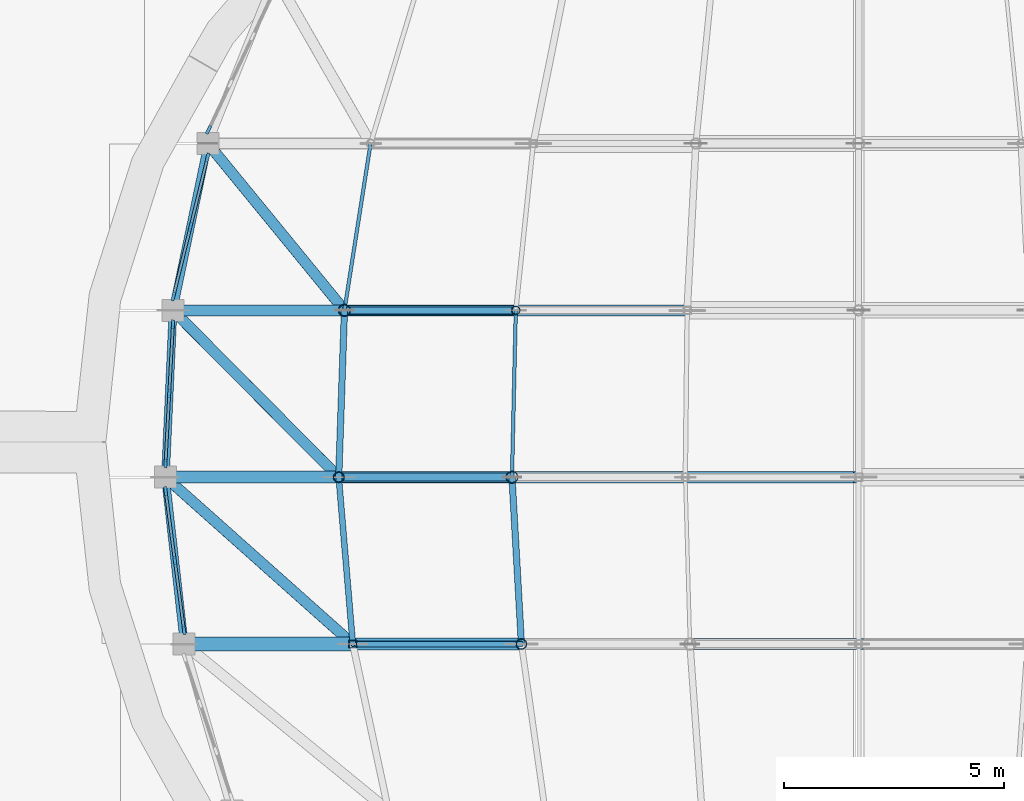
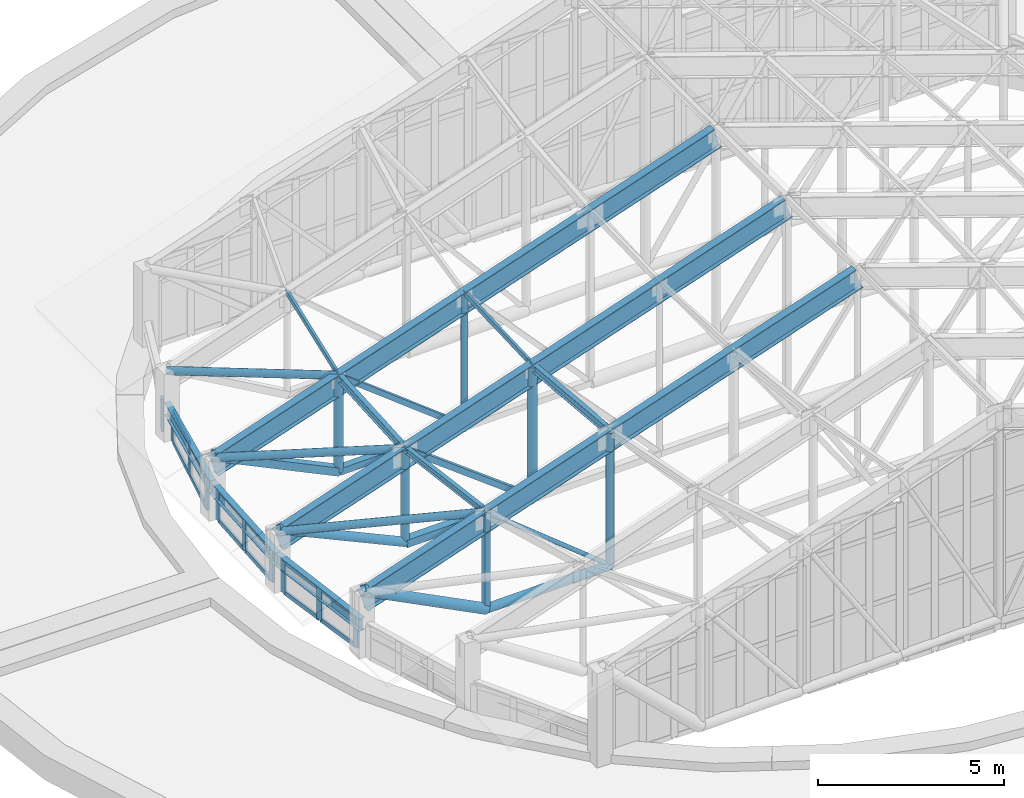
# One storey, part 13 of 105: 45 members, 6 beams, 4 elements without a shape of their own.
"""IFC4 building model written with IfcOpenShell, lengths in metres."""

from ifc_helpers import new_model, si_unit, direction, frame, origin, origin_2d, place, context, subcontext, project, spatial, rectangle, hollow_rectangle, hollow_circle, i_section, extrude, material, material_profile, profile_set, type_object, element, aggregate, save


model = new_model("IFC4")

# Units and contexts
model_context = context("Model", 3, precision=1e-05, world=origin(), true_north=direction((0.0, 1.0)))
body_context = subcontext(model_context, "Body", "Model", "MODEL_VIEW")
ifc_project = project(units=[si_unit("LENGTHUNIT", "METRE"), si_unit("AREAUNIT", "SQUARE_METRE"), si_unit("VOLUMEUNIT", "CUBIC_METRE"), si_unit("PLANEANGLEUNIT", "RADIAN"), si_unit("MASSUNIT", "GRAM", prefix="KILO")], contexts=[model_context])

# Site, building, storey
site_placement = place(None, origin())
site = spatial("IfcSite", under=ifc_project, at=site_placement, CompositionType="ELEMENT")
building_placement = place(site_placement, origin())
building = spatial("IfcBuilding", under=site, at=building_placement, Name="Corveleigh Park Community Centre", CompositionType="ELEMENT")
storey_placement = place(building_placement, frame((0.0, 0.0, 8.699951171875)))
storey = spatial("IfcBuildingStorey", under=building, at=storey_placement, Name="L02", CompositionType="ELEMENT", Elevation=8.699951171875)

# Beams
ifc_material_1 = material(Name="Steel S355", Category="steel")
ifc_material_profile_1 = material_profile(ifc_material_1, i_section(OverallWidth=0.1787109375, OverallDepth=0.409423828125, WebThickness=0.0087890625, FlangeThickness=0.014404296875, at=origin_2d()), Name="UKB 406x178x67", Category="steel")
ifc_profile_set_1 = profile_set([ifc_material_profile_1], Name="Steel S355")
beam_type_1 = type_object("IfcBeamType", Name="BM-STL-UKB406x67", PredefinedType="BEAM", material=ifc_profile_set_1)
beam_1_placement = place(storey_placement, frame((15.640380859375, 23.0048828125, 0.915283203125), z_axis=(-0.111892750886, 0.993720288763, 0.0), x_axis=(-0.993720288763, -0.111892750886, 0.0)))
element("IfcBeam", 1, at=beam_1_placement, inside=storey, type_object=beam_type_1, Name="V1 West Eave Tie Beam", PredefinedType="BEAM", context=body_context, shape_type="SweptSolid", body=[
    extrude(i_section(OverallWidth=0.1787109375, OverallDepth=0.409423828125, WebThickness=0.0087890625, FlangeThickness=0.014404296875, at=origin_2d()), origin(), (0.0, 0.0, 1.0), 3.81396484375),
])
beam_2_placement = place(storey_placement, frame((15.213134765625, 26.804931640625, 0.915283203125), z_axis=(0.045495229392, 0.998964555979, 0.0), x_axis=(-0.998964555979, 0.045495229392, 0.0)))
element("IfcBeam", 2, at=beam_2_placement, inside=storey, type_object=beam_type_1, Name="V1 West Eave Tie Beam", PredefinedType="BEAM", context=body_context, shape_type="SweptSolid", body=[
    extrude(i_section(OverallWidth=0.1787109375, OverallDepth=0.409423828125, WebThickness=0.0087890625, FlangeThickness=0.014404296875, at=origin_2d()), origin(), (0.0, 0.0, 1.0), 3.7939453125),
])
beam_3_placement = place(storey_placement, frame((15.386962890625, 30.60498046875, 0.915283203125), z_axis=(0.204790105702, 0.978805911612, 0.0), x_axis=(-0.978805911612, 0.204790105702, 0.0)))
element("IfcBeam", 3, at=beam_3_placement, inside=storey, type_object=beam_type_1, Name="V1 West Eave Tie Beam", PredefinedType="BEAM", context=body_context, shape_type="SweptSolid", body=[
    extrude(i_section(OverallWidth=0.1787109375, OverallDepth=0.409423828125, WebThickness=0.0087890625, FlangeThickness=0.014404296875, at=origin_2d()), origin(), (0.0, 0.0, 1.0), 3.8720703125),
])
ifc_material_profile_2 = material_profile(ifc_material_1, i_section(OverallWidth=0.253662109375, OverallDepth=0.68359375, WebThickness=0.012451171875, FlangeThickness=0.01904296875, at=origin_2d()), Name="UKB 686x254x140", Category="steel")
ifc_profile_set_2 = profile_set([ifc_material_profile_2], Name="Steel S355")
beam_type_2 = type_object("IfcBeamType", Name="BM-STL-UKB686x140", PredefinedType="BEAM", material=ifc_profile_set_2)
beam_4_placement = place(storey_placement, frame((15.64111328125, 23.0, 1.703369140625), z_axis=(0.946282968881, 0.0, 0.323339670944), x_axis=(0.0, 1.0, 0.0)))
element("IfcBeam", 4, at=beam_4_placement, inside=storey, type_object=beam_type_2, Name="V1 Portal Rafter W3", PredefinedType="BEAM", context=body_context, shape_type="SweptSolid", body=[
    extrude(i_section(OverallWidth=0.253662109375, OverallDepth=0.68359375, WebThickness=0.012451171875, FlangeThickness=0.01904296875, at=origin_2d()), origin(), (0.0, 0.0, 1.0), 16.230712890625),
])
beam_5_placement = place(storey_placement, frame((15.212890625, 26.800048828125, 1.557373046875), z_axis=(0.946288933388, 0.0, 0.323322214745), x_axis=(0.0, 1.0, 0.0)))
element("IfcBeam", 5, at=beam_5_placement, inside=storey, type_object=beam_type_2, Name="V1 Portal Rafter W4", PredefinedType="BEAM", context=body_context, shape_type="SweptSolid", body=[
    extrude(i_section(OverallWidth=0.253662109375, OverallDepth=0.68359375, WebThickness=0.012451171875, FlangeThickness=0.01904296875, at=origin_2d()), origin(), (0.0, 0.0, 1.0), 16.68310546875),
])
beam_6_placement = place(storey_placement, frame((15.385986328125, 30.60009765625, 1.616455078125), z_axis=(0.9462878162, 0.0, 0.323325484475), x_axis=(0.0, 1.0, 0.0)))
element("IfcBeam", 6, at=beam_6_placement, inside=storey, type_object=beam_type_2, Name="V1 Portal Rafter W5", PredefinedType="BEAM", context=body_context, shape_type="SweptSolid", body=[
    extrude(i_section(OverallWidth=0.253662109375, OverallDepth=0.68359375, WebThickness=0.012451171875, FlangeThickness=0.01904296875, at=origin_2d()), origin(), (0.0, 0.0, 1.0), 16.500244140625),
])

# Curtain wall, members
ifc_material_2 = material(Name="Anodised aluminium 6063-T6", Category="aluminium")
curtain_wall_type = type_object("IfcCurtainWallType", Name="CW-SYS-V1-L00", PredefinedType="NOTDEFINED", material=ifc_material_2)
curtain_wall_1_placement = place(storey_placement, origin())
curtain_wall_1 = element("IfcCurtainWall", 7, at=curtain_wall_1_placement, inside=storey, type_object=curtain_wall_type, Name="Main Hall West Eave Clerestory 3", PredefinedType="NOTDEFINED")
ifc_material_profile_3 = material_profile(ifc_material_2, rectangle(XDim=0.070068359375, YDim=0.199951171875, at=origin_2d()), Name="ALU-M70x200", Category="aluminium")
ifc_profile_set_3 = profile_set([ifc_material_profile_3], Name="Anodised aluminium 6063-T6")
member_type_1 = type_object("IfcMemberType", Name="CWM-70x200", PredefinedType="MULLION", material=ifc_profile_set_3)
member_1_placement = place(storey_placement, frame((15.636474609375, 23.314697265625, 0.0), z_axis=(0.0, 0.0, 1.0), x_axis=(-0.991387512069, -0.130961066405, 0.0)))
member_1 = element("IfcMember", 8, at=member_1_placement, type_object=member_type_1, Name="CW01 mullion 1", PredefinedType="MULLION", context=body_context, shape_type="SweptSolid", body=[
    extrude(rectangle(XDim=0.070068359375, YDim=0.199951171875, at=origin_2d()), origin(), (0.0, 0.0, 1.0), 1.06005859375),
])
member_2_placement = place(storey_placement, frame((15.427001953125, 24.89990234375, 0.0), z_axis=(0.0, 0.0, 1.0), x_axis=(-0.991387512069, -0.130961066405, 0.0)))
member_2 = element("IfcMember", 9, at=member_2_placement, type_object=member_type_1, Name="CW01 mullion 2", PredefinedType="MULLION", context=body_context, shape_type="SweptSolid", body=[
    extrude(rectangle(XDim=0.070068359375, YDim=0.199951171875, at=origin_2d()), origin(), (0.0, 0.0, 1.0), 1.06005859375),
])
member_3_placement = place(storey_placement, frame((15.217529296875, 26.4853515625, 0.0), z_axis=(0.0, 0.0, 1.0), x_axis=(-0.991387512069, -0.130961066405, 0.0)))
member_3 = element("IfcMember", 10, at=member_3_placement, type_object=member_type_1, Name="CW01 mullion 3", PredefinedType="MULLION", context=body_context, shape_type="SweptSolid", body=[
    extrude(rectangle(XDim=0.070068359375, YDim=0.199951171875, at=origin_2d()), origin(), (0.0, 0.0, 1.0), 1.06005859375),
])

curtain_wall_2_placement = place(storey_placement, origin())
curtain_wall_2 = element("IfcCurtainWall", 11, at=curtain_wall_2_placement, inside=storey, type_object=curtain_wall_type, Name="Main Hall West Eave Clerestory 4", PredefinedType="NOTDEFINED")
member_4_placement = place(storey_placement, frame((15.21484375, 27.114990234375, 0.0), z_axis=(0.0, 0.0, 1.0), x_axis=(-0.998577524613, 0.053319108566, 0.0)))
member_4 = element("IfcMember", 12, at=member_4_placement, type_object=member_type_1, Name="CW01 mullion 1", PredefinedType="MULLION", context=body_context, shape_type="SweptSolid", body=[
    extrude(rectangle(XDim=0.070068359375, YDim=0.199951171875, at=origin_2d()), origin(), (0.0, 0.0, 1.0), 1.06005859375),
])
member_5_placement = place(storey_placement, frame((15.299560546875, 28.699951171875, 0.0), z_axis=(0.0, 0.0, 1.0), x_axis=(-0.998577524613, 0.053319108566, 0.0)))
member_5 = element("IfcMember", 13, at=member_5_placement, type_object=member_type_1, Name="CW01 mullion 2", PredefinedType="MULLION", context=body_context, shape_type="SweptSolid", body=[
    extrude(rectangle(XDim=0.070068359375, YDim=0.199951171875, at=origin_2d()), origin(), (0.0, 0.0, 1.0), 1.06005859375),
])
member_6_placement = place(storey_placement, frame((15.384033203125, 30.28515625, 0.0), z_axis=(0.0, 0.0, 1.0), x_axis=(-0.998577524613, 0.053319108566, 0.0)))
member_6 = element("IfcMember", 14, at=member_6_placement, type_object=member_type_1, Name="CW01 mullion 3", PredefinedType="MULLION", context=body_context, shape_type="SweptSolid", body=[
    extrude(rectangle(XDim=0.070068359375, YDim=0.199951171875, at=origin_2d()), origin(), (0.0, 0.0, 1.0), 1.06005859375),
])

curtain_wall_3_placement = place(storey_placement, origin())
curtain_wall_3 = element("IfcCurtainWall", 15, at=curtain_wall_3_placement, inside=storey, type_object=curtain_wall_type, Name="Main Hall West Eave Clerestory 5", PredefinedType="NOTDEFINED")
member_7_placement = place(storey_placement, frame((15.394287109375, 30.9140625, 0.0), z_axis=(0.0, 0.0, 1.0), x_axis=(-0.971191213089, 0.238301547662, 0.0)))
member_7 = element("IfcMember", 16, at=member_7_placement, type_object=member_type_1, Name="CW01 mullion 1", PredefinedType="MULLION", context=body_context, shape_type="SweptSolid", body=[
    extrude(rectangle(XDim=0.070068359375, YDim=0.199951171875, at=origin_2d()), origin(), (0.0, 0.0, 1.0), 1.06005859375),
])
member_8_placement = place(storey_placement, frame((15.783447265625, 32.5, 0.0), z_axis=(0.0, 0.0, 1.0), x_axis=(-0.971191213089, 0.238301547662, 0.0)))
member_8 = element("IfcMember", 17, at=member_8_placement, type_object=member_type_1, Name="CW01 mullion 2", PredefinedType="MULLION", context=body_context, shape_type="SweptSolid", body=[
    extrude(rectangle(XDim=0.070068359375, YDim=0.199951171875, at=origin_2d()), origin(), (0.0, 0.0, 1.0), 1.06005859375),
])
member_9_placement = place(storey_placement, frame((16.172607421875, 34.0859375, 0.0), z_axis=(0.0, 0.0, 1.0), x_axis=(-0.971191213089, 0.238301547662, 0.0)))
member_9 = element("IfcMember", 18, at=member_9_placement, type_object=member_type_1, Name="CW01 mullion 3", PredefinedType="MULLION", context=body_context, shape_type="SweptSolid", body=[
    extrude(rectangle(XDim=0.070068359375, YDim=0.199951171875, at=origin_2d()), origin(), (0.0, 0.0, 1.0), 1.06005859375),
])

# Curtain wall, member
curtain_wall_4_placement = place(storey_placement, origin())
curtain_wall_4 = element("IfcCurtainWall", 19, at=curtain_wall_4_placement, inside=storey, type_object=curtain_wall_type, Name="Main Hall West Eave Clerestory 6", PredefinedType="NOTDEFINED")
member_10_placement = place(storey_placement, frame((16.196044921875, 34.711669921875, 0.0), z_axis=(0.0, 0.0, 1.0), x_axis=(-0.904356392626, 0.426778063068, 0.0)))
member_10 = element("IfcMember", 20, at=member_10_placement, type_object=member_type_1, Name="CW01 mullion 1", PredefinedType="MULLION", context=body_context, shape_type="SweptSolid", body=[
    extrude(rectangle(XDim=0.070068359375, YDim=0.199951171875, at=origin_2d()), origin(), (0.0, 0.0, 1.0), 1.06005859375),
])
aggregate(curtain_wall_4, [member_10])

# Member
ifc_material_profile_4 = material_profile(ifc_material_2, rectangle(XDim=0.06494140625, YDim=0.139892578125, at=origin_2d()), Name="ALU-T65x140", Category="aluminium")
ifc_profile_set_4 = profile_set([ifc_material_profile_4], Name="Anodised aluminium 6063-T6")
member_type_2 = type_object("IfcMemberType", Name="CWT-65x140", PredefinedType="USERDEFINED", material=ifc_profile_set_4)
member_11_placement = place(storey_placement, frame((15.6318359375, 23.349365234375, 0.032470703125), z_axis=(-0.130929486273, 0.991391683254, 0.0), x_axis=(-0.991391683254, -0.130929486273, 0.0)))
member_11 = element("IfcMember", 21, at=member_11_placement, type_object=member_type_2, Name="CW01 transom 1.1", ObjectType="TRANSOM", PredefinedType="USERDEFINED", context=body_context, shape_type="SweptSolid", body=[
    extrude(rectangle(XDim=0.06494140625, YDim=0.139892578125, at=origin_2d()), origin(), (0.0, 0.0, 1.0), 1.529052734375),
])

member_12_placement = place(storey_placement, frame((15.6318359375, 23.349365234375, 1.027587890625), z_axis=(-0.130929486273, 0.991391683254, 0.0), x_axis=(-0.991391683254, -0.130929486273, 0.0)))
member_12 = element("IfcMember", 22, at=member_12_placement, type_object=member_type_2, Name="CW01 transom 1.2", ObjectType="TRANSOM", PredefinedType="USERDEFINED", context=body_context, shape_type="SweptSolid", body=[
    extrude(rectangle(XDim=0.06494140625, YDim=0.139892578125, at=origin_2d()), origin(), (0.0, 0.0, 1.0), 1.529052734375),
])

member_13_placement = place(storey_placement, frame((15.42236328125, 24.934814453125, 0.032470703125), z_axis=(-0.130929486273, 0.991391683254, 0.0), x_axis=(-0.991391683254, -0.130929486273, 0.0)))
member_13 = element("IfcMember", 23, at=member_13_placement, type_object=member_type_2, Name="CW01 transom 2.1", ObjectType="TRANSOM", PredefinedType="USERDEFINED", context=body_context, shape_type="SweptSolid", body=[
    extrude(rectangle(XDim=0.06494140625, YDim=0.139892578125, at=origin_2d()), origin(), (0.0, 0.0, 1.0), 1.529052734375),
])

member_14_placement = place(storey_placement, frame((15.42236328125, 24.934814453125, 1.027587890625), z_axis=(-0.130929486273, 0.991391683254, 0.0), x_axis=(-0.991391683254, -0.130929486273, 0.0)))
member_14 = element("IfcMember", 24, at=member_14_placement, type_object=member_type_2, Name="CW01 transom 2.2", ObjectType="TRANSOM", PredefinedType="USERDEFINED", context=body_context, shape_type="SweptSolid", body=[
    extrude(rectangle(XDim=0.06494140625, YDim=0.139892578125, at=origin_2d()), origin(), (0.0, 0.0, 1.0), 1.529052734375),
])

aggregate(curtain_wall_1, [member_1, member_2, member_3, member_11, member_12, member_13, member_14])

member_15_placement = place(storey_placement, frame((15.216796875, 27.14990234375, 0.032470703125), z_axis=(0.05325978224, 0.998580690578, 0.0), x_axis=(-0.998580690578, 0.05325978224, 0.0)))
member_15 = element("IfcMember", 25, at=member_15_placement, type_object=member_type_2, Name="CW01 transom 1.1", ObjectType="TRANSOM", PredefinedType="USERDEFINED", context=body_context, shape_type="SweptSolid", body=[
    extrude(rectangle(XDim=0.06494140625, YDim=0.139892578125, at=origin_2d()), origin(), (0.0, 0.0, 1.0), 1.517333984375),
])

member_16_placement = place(storey_placement, frame((15.216796875, 27.14990234375, 1.027587890625), z_axis=(0.05325978224, 0.998580690578, 0.0), x_axis=(-0.998580690578, 0.05325978224, 0.0)))
member_16 = element("IfcMember", 26, at=member_16_placement, type_object=member_type_2, Name="CW01 transom 1.2", ObjectType="TRANSOM", PredefinedType="USERDEFINED", context=body_context, shape_type="SweptSolid", body=[
    extrude(rectangle(XDim=0.06494140625, YDim=0.139892578125, at=origin_2d()), origin(), (0.0, 0.0, 1.0), 1.517333984375),
])

member_17_placement = place(storey_placement, frame((15.30126953125, 28.73486328125, 0.032470703125), z_axis=(0.053420229436, 0.998572120123, 0.0), x_axis=(-0.998572120123, 0.053420229436, 0.0)))
member_17 = element("IfcMember", 27, at=member_17_placement, type_object=member_type_2, Name="CW01 transom 2.1", ObjectType="TRANSOM", PredefinedType="USERDEFINED", context=body_context, shape_type="SweptSolid", body=[
    extrude(rectangle(XDim=0.06494140625, YDim=0.139892578125, at=origin_2d()), origin(), (0.0, 0.0, 1.0), 1.517333984375),
])

member_18_placement = place(storey_placement, frame((15.30126953125, 28.73486328125, 1.027587890625), z_axis=(0.053420229436, 0.998572120123, 0.0), x_axis=(-0.998572120123, 0.053420229436, 0.0)))
member_18 = element("IfcMember", 28, at=member_18_placement, type_object=member_type_2, Name="CW01 transom 2.2", ObjectType="TRANSOM", PredefinedType="USERDEFINED", context=body_context, shape_type="SweptSolid", body=[
    extrude(rectangle(XDim=0.06494140625, YDim=0.139892578125, at=origin_2d()), origin(), (0.0, 0.0, 1.0), 1.517333984375),
])

aggregate(curtain_wall_2, [member_4, member_5, member_6, member_15, member_16, member_17, member_18])

member_19_placement = place(storey_placement, frame((15.402587890625, 30.947998046875, 0.032470703125), z_axis=(0.238343833451, 0.971180836434, 0.0), x_axis=(-0.971180836434, 0.238343833451, 0.0)))
member_19 = element("IfcMember", 29, at=member_19_placement, type_object=member_type_2, Name="CW01 transom 1.1", ObjectType="TRANSOM", PredefinedType="USERDEFINED", context=body_context, shape_type="SweptSolid", body=[
    extrude(rectangle(XDim=0.06494140625, YDim=0.139892578125, at=origin_2d()), origin(), (0.0, 0.0, 1.0), 1.563232421875),
])

member_20_placement = place(storey_placement, frame((15.402587890625, 30.947998046875, 1.027587890625), z_axis=(0.238343833451, 0.971180836434, 0.0), x_axis=(-0.971180836434, 0.238343833451, 0.0)))
member_20 = element("IfcMember", 30, at=member_20_placement, type_object=member_type_2, Name="CW01 transom 1.2", ObjectType="TRANSOM", PredefinedType="USERDEFINED", context=body_context, shape_type="SweptSolid", body=[
    extrude(rectangle(XDim=0.06494140625, YDim=0.139892578125, at=origin_2d()), origin(), (0.0, 0.0, 1.0), 1.563232421875),
])

member_21_placement = place(storey_placement, frame((15.791748046875, 32.533935546875, 0.032470703125), z_axis=(0.238343833451, 0.971180836434, 0.0), x_axis=(-0.971180836434, 0.238343833451, 0.0)))
member_21 = element("IfcMember", 31, at=member_21_placement, type_object=member_type_2, Name="CW01 transom 2.1", ObjectType="TRANSOM", PredefinedType="USERDEFINED", context=body_context, shape_type="SweptSolid", body=[
    extrude(rectangle(XDim=0.06494140625, YDim=0.139892578125, at=origin_2d()), origin(), (0.0, 0.0, 1.0), 1.563232421875),
])

member_22_placement = place(storey_placement, frame((15.791748046875, 32.533935546875, 1.027587890625), z_axis=(0.238343833451, 0.971180836434, 0.0), x_axis=(-0.971180836434, 0.238343833451, 0.0)))
member_22 = element("IfcMember", 32, at=member_22_placement, type_object=member_type_2, Name="CW01 transom 2.2", ObjectType="TRANSOM", PredefinedType="USERDEFINED", context=body_context, shape_type="SweptSolid", body=[
    extrude(rectangle(XDim=0.06494140625, YDim=0.139892578125, at=origin_2d()), origin(), (0.0, 0.0, 1.0), 1.563232421875),
])

aggregate(curtain_wall_3, [member_7, member_8, member_9, member_19, member_20, member_21, member_22])

# Members
ifc_material_profile_5 = material_profile(ifc_material_1, hollow_circle(Radius=0.06982421875, WallThickness=0.008056640625, at=origin_2d()), Name="CHS 139.7x8.0", Category="steel")
ifc_profile_set_5 = profile_set([ifc_material_profile_5], Name="Steel S355")
member_type_3 = type_object("IfcMemberType", Name="MEM-BRC-CHS140", PredefinedType="BRACE", material=ifc_profile_set_5)
member_23_placement = place(storey_placement, frame((19.48095703125, 23.0, 3.264404296875), z_axis=(0.779155069538, 0.0, -0.626831219399), x_axis=(0.0, 1.0, 0.0)))
element("IfcMember", 33, at=member_23_placement, inside=storey, type_object=member_type_3, Name="V1 Truss T3 Web Diagonal", PredefinedType="BRACE", context=body_context, shape_type="SweptSolid", body=[
    extrude(hollow_circle(Radius=0.06982421875, WallThickness=0.008056640625, at=origin_2d()), origin(), (0.0, 0.0, 1.0), 4.928466796875),
])
ifc_material_profile_6 = material_profile(ifc_material_1, hollow_rectangle(XDim=0.159912109375, YDim=0.159912109375, WallThickness=0.010009765625, at=origin_2d()), Name="SHS 160x160x10.0", Category="steel")
ifc_profile_set_6 = profile_set([ifc_material_profile_6], Name="Steel S355")
member_type_4 = type_object("IfcMemberType", Name="MEM-BRC-SHS160", PredefinedType="BRACE", material=ifc_profile_set_6)
member_24_placement = place(storey_placement, frame((19.2900390625, 30.60009765625, 3.19921875), z_axis=(0.790485073874, 0.0, -0.61248130419), x_axis=(0.0, 1.0, 0.0)))
element("IfcMember", 34, at=member_24_placement, inside=storey, type_object=member_type_4, Name="V1 Truss T5 Web Diagonal", PredefinedType="BRACE", context=body_context, shape_type="SweptSolid", body=[
    extrude(hollow_rectangle(XDim=0.159912109375, YDim=0.159912109375, WallThickness=0.010009765625, at=origin_2d()), origin(), (0.0, 0.0, 1.0), 4.9375),
])
ifc_material_profile_7 = material_profile(ifc_material_1, hollow_rectangle(XDim=0.179931640625, YDim=0.179931640625, WallThickness=0.010009765625, at=origin_2d()), Name="SHS 180x180x10.0", Category="steel")
ifc_profile_set_7 = profile_set([ifc_material_profile_7], Name="Steel S355")
member_type_5 = type_object("IfcMemberType", Name="MEM-BRC-SHS180", PredefinedType="BRACE", material=ifc_profile_set_7)
member_25_placement = place(storey_placement, frame((19.159912109375, 26.800048828125, 3.15478515625), z_axis=(0.798034584844, 0.0, -0.602611650561), x_axis=(0.0, 1.0, 0.0)))
element("IfcMember", 35, at=member_25_placement, inside=storey, type_object=member_type_5, Name="V1 Truss T4 Web Diagonal", PredefinedType="BRACE", context=body_context, shape_type="SweptSolid", body=[
    extrude(hollow_rectangle(XDim=0.179931640625, YDim=0.179931640625, WallThickness=0.010009765625, at=origin_2d()), origin(), (0.0, 0.0, 1.0), 4.94482421875),
])
ifc_material_profile_8 = material_profile(ifc_material_1, hollow_circle(Radius=0.136474609375, WallThickness=0.012451171875, at=origin_2d()), Name="CHS 273.0x12.5", Category="steel")
ifc_profile_set_8 = profile_set([ifc_material_profile_8], Name="Steel S355")
member_type_6 = type_object("IfcMemberType", Name="MEM-CHD-CHS273", PredefinedType="CHORD", material=ifc_profile_set_8)
member_26_placement = place(storey_placement, frame((19.48095703125, 23.0, 0.087158203125), z_axis=(0.999738180376, 0.0, 0.022881667298), x_axis=(0.0, 1.0, 0.0)))
element("IfcMember", 36, at=member_26_placement, inside=storey, type_object=member_type_6, Name="V1 Truss T3 Bottom Chord", PredefinedType="CHORD", context=body_context, shape_type="SweptSolid", body=[
    extrude(hollow_circle(Radius=0.136474609375, WallThickness=0.012451171875, at=origin_2d()), origin(), (0.0, 0.0, 1.0), 3.841064453125),
])
member_27_placement = place(storey_placement, frame((15.212890625, 26.800048828125, 1.89111328125), z_axis=(0.90950911558, 0.0, -0.41568397693), x_axis=(0.0, 1.0, 0.0)))
element("IfcMember", 37, at=member_27_placement, inside=storey, type_object=member_type_6, Name="V1 Truss T4 Bottom Chord", PredefinedType="CHORD", context=body_context, shape_type="SweptSolid", body=[
    extrude(hollow_circle(Radius=0.136474609375, WallThickness=0.012451171875, at=origin_2d()), origin(), (0.0, 0.0, 1.0), 4.33984375),
])
ifc_material_profile_9 = material_profile(ifc_material_1, hollow_circle(Radius=0.161865234375, WallThickness=0.01611328125, at=origin_2d()), Name="CHS 323.9x16.0", Category="steel")
ifc_profile_set_9 = profile_set([ifc_material_profile_9], Name="Steel S355")
member_type_7 = type_object("IfcMemberType", Name="MEM-CHD-CHS324", PredefinedType="CHORD", material=ifc_profile_set_9)
member_28_placement = place(storey_placement, frame((15.64111328125, 23.0, 2.037109375), z_axis=(0.891620646648, 0.0, -0.452783195879), x_axis=(0.0, 1.0, 0.0)))
element("IfcMember", 38, at=member_28_placement, inside=storey, type_object=member_type_7, Name="V1 Truss T3 Bottom Chord", PredefinedType="CHORD", context=body_context, shape_type="SweptSolid", body=[
    extrude(hollow_circle(Radius=0.161865234375, WallThickness=0.01611328125, at=origin_2d()), origin(), (0.0, 0.0, 1.0), 4.306640625),
])
ifc_material_profile_10 = material_profile(ifc_material_1, hollow_rectangle(XDim=0.219970703125, YDim=0.219970703125, WallThickness=0.012451171875, at=origin_2d()), Name="SHS 220x220x12.5", Category="steel")
ifc_profile_set_10 = profile_set([ifc_material_profile_10], Name="Steel S355")
member_type_8 = type_object("IfcMemberType", Name="MEM-CHD-SHS220", PredefinedType="CHORD", material=ifc_profile_set_10)
member_29_placement = place(storey_placement, frame((19.2900390625, 30.60009765625, 0.087158203125), z_axis=(0.999746559551, 0.0, 0.022512589069), x_axis=(0.0, 1.0, 0.0)))
element("IfcMember", 39, at=member_29_placement, inside=storey, type_object=member_type_8, Name="V1 Truss T5 Bottom Chord", PredefinedType="CHORD", context=body_context, shape_type="SweptSolid", body=[
    extrude(hollow_rectangle(XDim=0.219970703125, YDim=0.219970703125, WallThickness=0.012451171875, at=origin_2d()), origin(), (0.0, 0.0, 1.0), 3.904052734375),
])
ifc_material_profile_11 = material_profile(ifc_material_1, hollow_rectangle(XDim=0.25, YDim=0.25, WallThickness=0.012451171875, at=origin_2d()), Name="SHS 250x250x12.5", Category="steel")
ifc_profile_set_11 = profile_set([ifc_material_profile_11], Name="Steel S355")
member_type_9 = type_object("IfcMemberType", Name="MEM-CHD-SHS250", PredefinedType="CHORD", material=ifc_profile_set_11)
member_30_placement = place(storey_placement, frame((19.159912109375, 26.800048828125, 0.087158203125), z_axis=(0.999752046919, 0.0, 0.022267570184), x_axis=(0.0, 1.0, 0.0)))
element("IfcMember", 40, at=member_30_placement, inside=storey, type_object=member_type_9, Name="V1 Truss T4 Bottom Chord", PredefinedType="CHORD", context=body_context, shape_type="SweptSolid", body=[
    extrude(hollow_rectangle(XDim=0.25, YDim=0.25, WallThickness=0.012451171875, at=origin_2d()), origin(), (0.0, 0.0, 1.0), 3.947021484375),
])
member_31_placement = place(storey_placement, frame((15.385986328125, 30.60009765625, 1.949951171875), z_axis=(0.902526407689, 0.0, -0.43063451258), x_axis=(0.0, 1.0, 0.0)))
element("IfcMember", 41, at=member_31_placement, inside=storey, type_object=member_type_9, Name="V1 Truss T5 Bottom Chord", PredefinedType="CHORD", context=body_context, shape_type="SweptSolid", body=[
    extrude(hollow_rectangle(XDim=0.25, YDim=0.25, WallThickness=0.012451171875, at=origin_2d()), origin(), (0.0, 0.0, 1.0), 4.32568359375),
])
ifc_material_profile_12 = material_profile(ifc_material_1, hollow_rectangle(XDim=0.080078125, YDim=0.159912109375, WallThickness=0.008056640625, at=origin_2d()), Name="RHS 160x80x8.0", Category="steel")
ifc_profile_set_12 = profile_set([ifc_material_profile_12], Name="Steel S355")
member_type_10 = type_object("IfcMemberType", Name="MEM-PRL-RHS160", PredefinedType="PURLIN", material=ifc_profile_set_12)
member_32_placement = place(storey_placement, frame((23.10595703125, 26.800048828125, 4.52587890625), z_axis=(0.02292934003, 0.99970637972, 0.007835796873), x_axis=(-0.999737071976, 0.022930043989, 0.0)))
element("IfcMember", 42, at=member_32_placement, inside=storey, type_object=member_type_10, Name="V1 Pitched Roof Purlin", PredefinedType="PURLIN", context=body_context, shape_type="SweptSolid", body=[
    extrude(hollow_rectangle(XDim=0.080078125, YDim=0.159912109375, WallThickness=0.008056640625, at=origin_2d()), origin(), (0.0, 0.0, 1.0), 3.80126953125),
])
member_33_placement = place(storey_placement, frame((19.2900390625, 30.60009765625, 3.22216796875), z_axis=(0.154725606812, 0.986542132085, 0.052864054109), x_axis=(-0.987923527479, 0.154942259739, 0.0)))
element("IfcMember", 43, at=member_33_placement, inside=storey, type_object=member_type_10, Name="V1 Pitched Roof Purlin", PredefinedType="PURLIN", context=body_context, shape_type="SweptSolid", body=[
    extrude(hollow_rectangle(XDim=0.080078125, YDim=0.159912109375, WallThickness=0.008056640625, at=origin_2d()), origin(), (0.0, 0.0, 1.0), 3.8515625),
])
ifc_material_profile_13 = material_profile(ifc_material_1, i_section(OverallWidth=0.13330078125, OverallDepth=0.203125, WebThickness=0.005615234375, FlangeThickness=0.0078125, at=origin_2d()), Name="UKB 203x133x25", Category="steel")
ifc_profile_set_13 = profile_set([ifc_material_profile_13], Name="Steel S355")
member_type_11 = type_object("IfcMemberType", Name="MEM-PRL-UKB203", PredefinedType="PURLIN", material=ifc_profile_set_13)
member_34_placement = place(storey_placement, frame((19.48095703125, 23.0, 3.265869140625), z_axis=(-0.084149759223, 0.996038785025, -0.028732503339), x_axis=(-0.996450183037, -0.084184515946, 0.0)))
element("IfcMember", 44, at=member_34_placement, inside=storey, type_object=member_type_11, Name="V1 Pitched Roof Purlin", PredefinedType="PURLIN", context=body_context, shape_type="SweptSolid", body=[
    extrude(i_section(OverallWidth=0.13330078125, OverallDepth=0.203125, WebThickness=0.005615234375, FlangeThickness=0.0078125, at=origin_2d()), origin(), (0.0, 0.0, 1.0), 3.815185546875),
])
ifc_material_profile_14 = material_profile(ifc_material_1, i_section(OverallWidth=0.14599609375, OverallDepth=0.25146484375, WebThickness=0.006103515625, FlangeThickness=0.008544921875, at=origin_2d()), Name="UKB 254x146x31", Category="steel")
ifc_profile_set_14 = profile_set([ifc_material_profile_14], Name="Steel S355")
member_type_12 = type_object("IfcMemberType", Name="MEM-PRL-UKB254", PredefinedType="PURLIN", material=ifc_profile_set_14)
member_35_placement = place(storey_placement, frame((23.321044921875, 23.0, 4.5537109375), z_axis=(-0.05650036927, 0.998215945166, -0.0193037584), x_axis=(-0.998401982304, -0.056510899223, 0.0)))
element("IfcMember", 45, at=member_35_placement, inside=storey, type_object=member_type_12, Name="V1 Pitched Roof Purlin", PredefinedType="PURLIN", context=body_context, shape_type="SweptSolid", body=[
    extrude(i_section(OverallWidth=0.14599609375, OverallDepth=0.25146484375, WebThickness=0.006103515625, FlangeThickness=0.008544921875, at=origin_2d()), origin(), (0.0, 0.0, 1.0), 3.806884765625),
])
member_36_placement = place(storey_placement, frame((19.159912109375, 26.800048828125, 3.132080078125), z_axis=(0.034221098808, 0.99934597175, 0.011685253251), x_axis=(-0.999414206657, 0.034223435409, 0.0)))
element("IfcMember", 46, at=member_36_placement, inside=storey, type_object=member_type_12, Name="V1 Pitched Roof Purlin", PredefinedType="PURLIN", context=body_context, shape_type="SweptSolid", body=[
    extrude(i_section(OverallWidth=0.14599609375, OverallDepth=0.25146484375, WebThickness=0.006103515625, FlangeThickness=0.008544921875, at=origin_2d()), origin(), (0.0, 0.0, 1.0), 3.802490234375),
])
ifc_material_profile_15 = material_profile(ifc_material_1, hollow_circle(Radius=0.096923828125, WallThickness=0.010009765625, at=origin_2d()), Name="CHS 193.7x10.0", Category="steel")
ifc_profile_set_15 = profile_set([ifc_material_profile_15], Name="Steel S355")
member_type_13 = type_object("IfcMemberType", Name="MEM-STR-CHS194I", PredefinedType="STRUT", material=ifc_profile_set_15)
member_37_placement = place(storey_placement, frame((23.193115234375, 30.60009765625, 0.175048828125), z_axis=(0.0, 0.0, 1.0), x_axis=(1.0, 0.0, 0.0)))
element("IfcMember", 47, at=member_37_placement, inside=storey, type_object=member_type_13, Name="V1 Truss T5 Web Post", PredefinedType="STRUT", context=body_context, shape_type="SweptSolid", body=[
    extrude(hollow_circle(Radius=0.096923828125, WallThickness=0.010009765625, at=origin_2d()), origin(), (0.0, 0.0, 1.0), 4.357666015625),
])
ifc_material_profile_16 = material_profile(ifc_material_1, hollow_circle(Radius=0.122314453125, WallThickness=0.012451171875, at=origin_2d()), Name="CHS 244.5x12.5", Category="steel")
ifc_profile_set_16 = profile_set([ifc_material_profile_16], Name="Steel S355")
member_type_14 = type_object("IfcMemberType", Name="MEM-STR-CHS245", PredefinedType="STRUT", material=ifc_profile_set_16)
member_38_placement = place(storey_placement, frame((23.321044921875, 23.0, 0.175048828125), z_axis=(0.0, 0.0, 1.0), x_axis=(1.0, 0.0, 0.0)))
element("IfcMember", 48, at=member_38_placement, inside=storey, type_object=member_type_14, Name="V1 Truss T3 Web Post", PredefinedType="STRUT", context=body_context, shape_type="SweptSolid", body=[
    extrude(hollow_circle(Radius=0.122314453125, WallThickness=0.012451171875, at=origin_2d()), origin(), (0.0, 0.0, 1.0), 4.4013671875),
])
member_39_placement = place(storey_placement, frame((19.159912109375, 26.800048828125, 0.087158203125), z_axis=(0.0, 0.0, 1.0), x_axis=(1.0, 0.0, 0.0)))
element("IfcMember", 49, at=member_39_placement, inside=storey, type_object=member_type_14, Name="V1 Truss T4 Web Post", PredefinedType="STRUT", context=body_context, shape_type="SweptSolid", body=[
    extrude(hollow_circle(Radius=0.122314453125, WallThickness=0.012451171875, at=origin_2d()), origin(), (0.0, 0.0, 1.0), 3.067626953125),
])
member_40_placement = place(storey_placement, frame((19.48095703125, 23.0, 3.264404296875), z_axis=(-0.723679086199, 0.644323588645, -0.24725633119), x_axis=(-0.664970863905, -0.746869299247, 0.0)))
element("IfcMember", 50, at=member_40_placement, inside=storey, type_object=member_type_14, Name="V1 Roof Wind Strut", PredefinedType="STRUT", context=body_context, shape_type="SweptSolid", body=[
    extrude(hollow_circle(Radius=0.122314453125, WallThickness=0.012451171875, at=origin_2d()), origin(), (0.0, 0.0, 1.0), 5.897705078125),
])
member_41_placement = place(storey_placement, frame((19.159912109375, 26.800048828125, 3.15478515625), z_axis=(-0.685084052735, 0.689826192316, -0.234093282866), x_axis=(-0.709541410277, -0.704663740448, 0.0)))
element("IfcMember", 51, at=member_41_placement, inside=storey, type_object=member_type_14, Name="V1 Roof Wind Strut", PredefinedType="STRUT", context=body_context, shape_type="SweptSolid", body=[
    extrude(hollow_circle(Radius=0.122314453125, WallThickness=0.012451171875, at=origin_2d()), origin(), (0.0, 0.0, 1.0), 5.5087890625),
])
member_42_placement = place(storey_placement, frame((19.2900390625, 30.60009765625, 3.19921875), z_axis=(-0.618941228264, 0.756435121845, -0.211465511125), x_axis=(-0.773937359137, -0.633262160666, 0.0)))
element("IfcMember", 52, at=member_42_placement, inside=storey, type_object=member_type_14, Name="V1 Roof Wind Strut", PredefinedType="STRUT", context=body_context, shape_type="SweptSolid", body=[
    extrude(hollow_circle(Radius=0.122314453125, WallThickness=0.012451171875, at=origin_2d()), origin(), (0.0, 0.0, 1.0), 5.023193359375),
])
ifc_material_profile_17 = material_profile(ifc_material_1, hollow_circle(Radius=0.136474609375, WallThickness=0.012451171875, at=origin_2d()), Name="CHS 273.0x12.5", Category="steel")
ifc_profile_set_17 = profile_set([ifc_material_profile_17], Name="Steel S355")
member_type_15 = type_object("IfcMemberType", Name="MEM-STR-CHS273E", PredefinedType="STRUT", material=ifc_profile_set_17)
member_43_placement = place(storey_placement, frame((23.10595703125, 26.800048828125, 0.175048828125), z_axis=(0.0, 0.0, 1.0), x_axis=(1.0, 0.0, 0.0)))
element("IfcMember", 53, at=member_43_placement, inside=storey, type_object=member_type_15, Name="V1 Truss T4 Web Post", PredefinedType="STRUT", context=body_context, shape_type="SweptSolid", body=[
    extrude(hollow_circle(Radius=0.136474609375, WallThickness=0.012451171875, at=origin_2d()), origin(), (0.0, 0.0, 1.0), 4.327880859375),
])
member_44_placement = place(storey_placement, frame((19.2900390625, 30.60009765625, 0.087158203125), z_axis=(0.0, 0.0, 1.0), x_axis=(1.0, 0.0, 0.0)))
element("IfcMember", 54, at=member_44_placement, inside=storey, type_object=member_type_15, Name="V1 Truss T5 Web Post", PredefinedType="STRUT", context=body_context, shape_type="SweptSolid", body=[
    extrude(hollow_circle(Radius=0.136474609375, WallThickness=0.012451171875, at=origin_2d()), origin(), (0.0, 0.0, 1.0), 3.112060546875),
])
ifc_material_profile_18 = material_profile(ifc_material_1, hollow_rectangle(XDim=0.179931640625, YDim=0.179931640625, WallThickness=0.010009765625, at=origin_2d()), Name="SHS 180x180x10.0", Category="steel")
ifc_profile_set_18 = profile_set([ifc_material_profile_18], Name="Steel S355")
member_type_16 = type_object("IfcMemberType", Name="MEM-STR-SHS180I", PredefinedType="STRUT", material=ifc_profile_set_18)
member_45_placement = place(storey_placement, frame((19.48095703125, 23.0, 0.087158203125), z_axis=(0.0, 0.0, 1.0), x_axis=(1.0, 0.0, 0.0)))
element("IfcMember", 55, at=member_45_placement, inside=storey, type_object=member_type_16, Name="V1 Truss T3 Web Post", PredefinedType="STRUT", context=body_context, shape_type="SweptSolid", body=[
    extrude(hollow_rectangle(XDim=0.179931640625, YDim=0.179931640625, WallThickness=0.010009765625, at=origin_2d()), origin(), (0.0, 0.0, 1.0), 3.17724609375),
])

save(model, "model.ifc")
